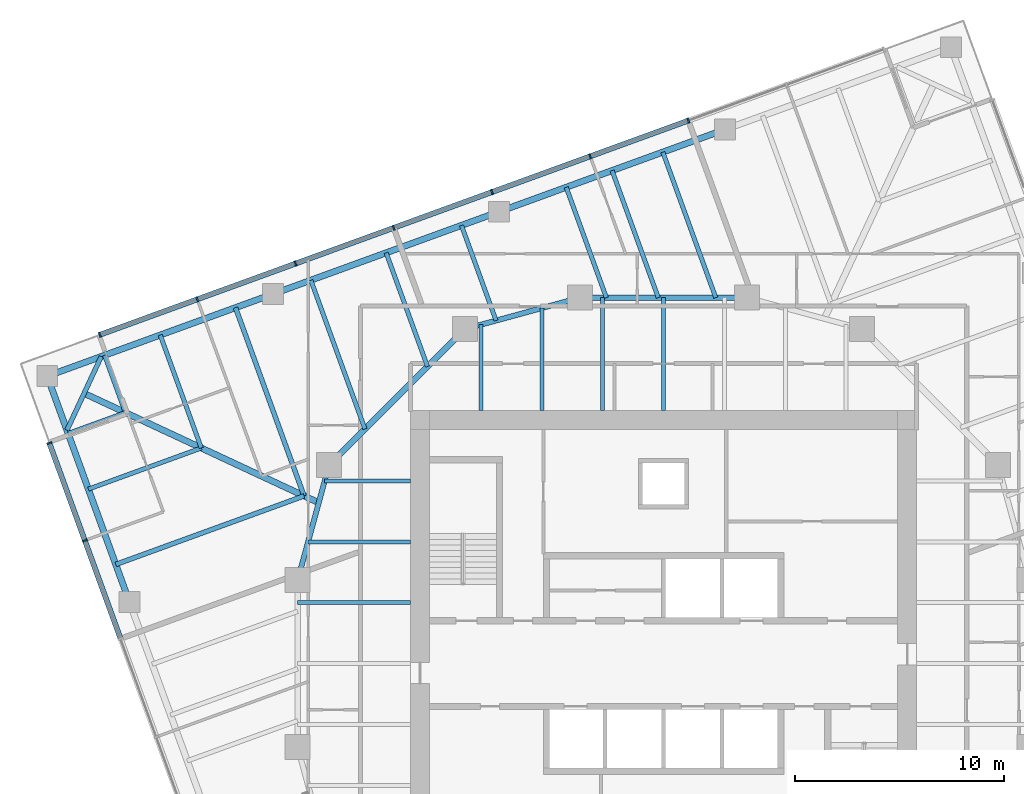
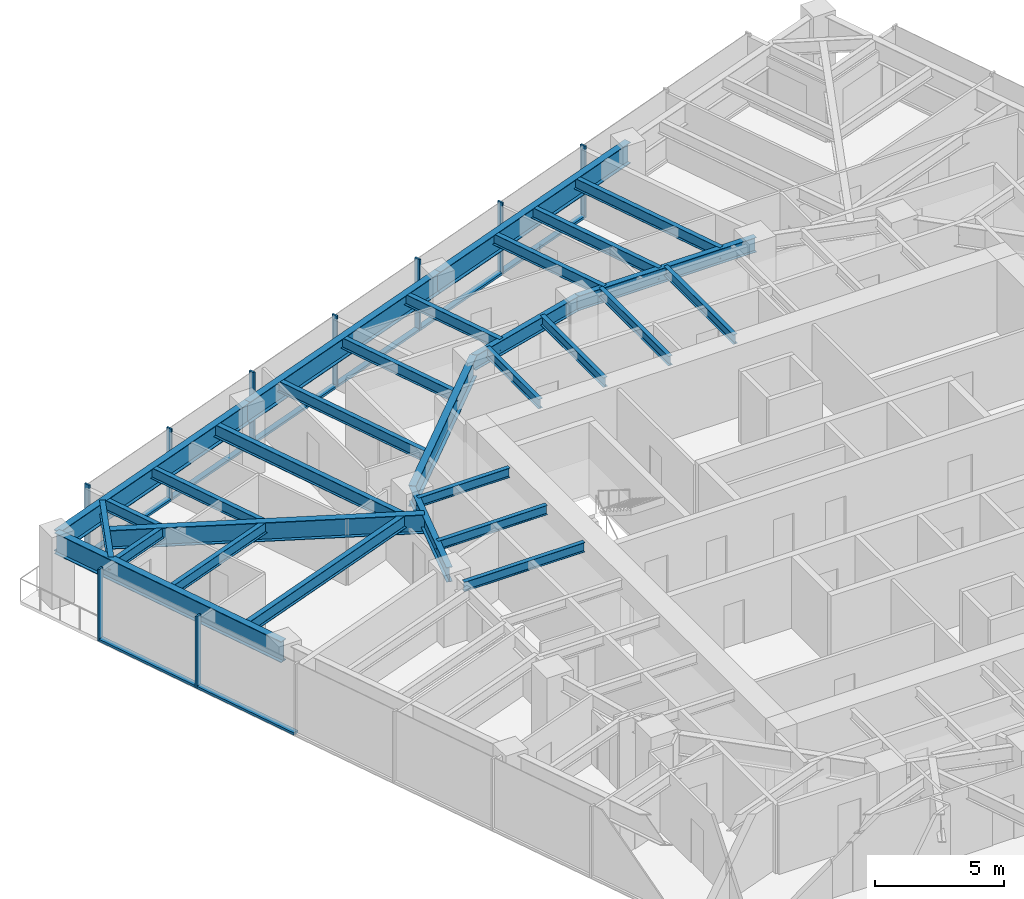
# One storey, part 4 of 13: 29 beams, 17 members, 2 elements without a shape of their own.
"""IFC4 building model written with IfcOpenShell, lengths in metres."""

from ifc_helpers import new_model, si_unit, direction, frame, origin, origin_2d, place, context, subcontext, project, spatial, rectangle, i_section, extrude, material, material_profile, profile_set, type_object, element, aggregate, save


model = new_model("IFC4")

# Units and contexts
model_context = context("Model", 3, precision=1e-05, world=origin(), true_north=direction((0.0, 1.0)))
body_context = subcontext(model_context, "Body", "Model", "MODEL_VIEW")
ifc_project = project(units=[si_unit("LENGTHUNIT", "METRE"), si_unit("AREAUNIT", "SQUARE_METRE"), si_unit("VOLUMEUNIT", "CUBIC_METRE"), si_unit("PLANEANGLEUNIT", "RADIAN"), si_unit("MASSUNIT", "GRAM", prefix="KILO")], contexts=[model_context])

# Site, building, storey
site_placement = place(None, origin())
site = spatial("IfcSite", under=ifc_project, at=site_placement, CompositionType="ELEMENT")
building_placement = place(site_placement, origin())
building = spatial("IfcBuilding", under=site, at=building_placement, Name="Torsade Residences", CompositionType="ELEMENT")
storey_placement = place(building_placement, frame((0.0, 0.0, 160.800048828125)))
storey = spatial("IfcBuildingStorey", under=building, at=storey_placement, Name="L44", CompositionType="ELEMENT", Elevation=160.800048828125)

# Beams
ifc_material_1 = material(Name="Steel grade 300", Category="steel")
ifc_material_profile_1 = material_profile(ifc_material_1, i_section(OverallWidth=0.300048828125, OverallDepth=0.89990234375, WebThickness=0.011962890625, FlangeThickness=0.02490234375, at=origin_2d()), Name="900WB175")
ifc_profile_set_1 = profile_set([ifc_material_profile_1], Name="Steel grade 300")
beam_type_1 = type_object("IfcBeamType", Name="CORNER GIRDER 900WB175", PredefinedType="BEAM", material=ifc_profile_set_1)
beam_1_placement = place(storey_placement, frame((12.282958984375, 42.924560546875, 2.800048828125), z_axis=(0.906308509373, -0.422616712682, 0.0), x_axis=(0.422616712682, 0.906308509373, 0.0)))
element("IfcBeam", 1, at=beam_1_placement, inside=storey, type_object=beam_type_1, Name="Corner girder 13 L45", PredefinedType="BEAM", context=body_context, shape_type="SweptSolid", body=[
    extrude(i_section(OverallWidth=0.300048828125, OverallDepth=0.89990234375, WebThickness=0.011962890625, FlangeThickness=0.02490234375, at=origin_2d()), origin(), (0.0, 0.0, 1.0), 12.3837890625),
])
ifc_material_2 = material(Name="Steel grade 300", Category="steel")
ifc_material_profile_2 = material_profile(ifc_material_2, i_section(OverallWidth=0.22802734375, OverallDepth=0.60205078125, WebThickness=0.010498046875, FlangeThickness=0.014892578125, FilletRadius=0.013916015625, at=origin_2d()), Name="610UB101")
ifc_profile_set_2 = profile_set([ifc_material_profile_2], Name="Steel grade 300")
beam_type_2 = type_object("IfcBeamType", Name="CORNER TRIMMER 610UB101", PredefinedType="BEAM", material=ifc_profile_set_2)
beam_2_placement = place(storey_placement, frame((11.461181640625, 41.162353515625, 2.948974609375), z_axis=(0.422613947806, 0.906309798645, 0.0), x_axis=(-0.906309798645, 0.422613947806, 0.0)))
element("IfcBeam", 2, at=beam_2_placement, inside=storey, type_object=beam_type_2, Name="Corner trimmer 13 L45", PredefinedType="BEAM", context=body_context, shape_type="SweptSolid", body=[
    extrude(i_section(OverallWidth=0.22802734375, OverallDepth=0.60205078125, WebThickness=0.010498046875, FlangeThickness=0.014892578125, FilletRadius=0.013916015625, at=origin_2d()), origin(), (0.0, 0.0, 1.0), 3.888916015625),
])
ifc_material_3 = material(Name="Steel grade 300", Category="steel")
ifc_material_profile_3 = material_profile(ifc_material_3, i_section(OverallWidth=0.300048828125, OverallDepth=1.0, WebThickness=0.01611328125, FlangeThickness=0.028076171875, at=origin_2d()), Name="1000WB215")
ifc_profile_set_3 = profile_set([ifc_material_profile_3], Name="Steel grade 300")
beam_type_3 = type_object("IfcBeamType", Name="EDGE BEAM 1000WB215", PredefinedType="SPANDREL", material=ifc_profile_set_3)
for number, where, z_axis, x_axis, name in (
    (3, (42.93994140625, 55.546142578125, 2.75), (-0.939695448801, -0.342012373318, 0.0), (0.342012373318, -0.939695448801, 0.0), "Edge beam 10 L45"),
    (4, (32.133544921875, 51.613037109375, 2.75), (-0.939688625666, -0.342031119628, 0.0), (0.342031119628, -0.939688625666, 0.0), "Edge beam 11 L45"),
    (5, (21.3271484375, 47.6796875, 2.75), (-0.939697932031, -0.342005550448, 0.0), (0.342005550448, -0.939697932031, 0.0), "Edge beam 12 L45"),
):
    element("IfcBeam", number, at=place(storey_placement, frame(where, z_axis=z_axis, x_axis=x_axis)), inside=storey, type_object=beam_type_3, Name=name, PredefinedType="SPANDREL", context=body_context, shape_type="SweptSolid", body=[
        extrude(i_section(OverallWidth=0.300048828125, OverallDepth=1.0, WebThickness=0.01611328125, FlangeThickness=0.028076171875, at=origin_2d()), origin(), (0.0, 0.0, 1.0), 11.5),
    ])
beam_3_placement = place(storey_placement, frame((10.5205078125, 43.74658203125, 2.75), z_axis=(0.342024296483, -0.93969110915, 0.0), x_axis=(0.93969110915, 0.342024296483, 0.0)))
element("IfcBeam", 6, at=beam_3_placement, inside=storey, type_object=beam_type_3, Name="Edge beam 13 L45", PredefinedType="SPANDREL", context=body_context, shape_type="SweptSolid", body=[
    extrude(i_section(OverallWidth=0.300048828125, OverallDepth=1.0, WebThickness=0.01611328125, FlangeThickness=0.028076171875, at=origin_2d()), origin(), (0.0, 0.0, 1.0), 11.500244140625),
])
ifc_material_4 = material(Name="Steel grade 300", Category="steel")
ifc_material_profile_4 = material_profile(ifc_material_4, i_section(OverallWidth=0.18994140625, OverallDepth=0.4541015625, WebThickness=0.008544921875, FlangeThickness=0.0126953125, FilletRadius=0.011474609375, at=origin_2d()), Name="460UB67.1")
ifc_profile_set_4 = profile_set([ifc_material_profile_4], Name="Steel grade 300")
beam_type_4 = type_object("IfcBeamType", Name="INNER FLOOR BEAM 460UB67.1", PredefinedType="JOIST", material=ifc_profile_set_4)
beam_4_placement = place(storey_placement, frame((31.262451171875, 42.10009765625, 3.02294921875), z_axis=(0.0, 1.0, 0.0), x_axis=(-1.0, 0.0, 0.0)))
element("IfcBeam", 7, at=beam_4_placement, inside=storey, type_object=beam_type_4, Name="Inner floor beam IN01 L45", PredefinedType="JOIST", context=body_context, shape_type="SweptSolid", body=[
    extrude(i_section(OverallWidth=0.18994140625, OverallDepth=0.4541015625, WebThickness=0.008544921875, FlangeThickness=0.0126953125, FilletRadius=0.011474609375, at=origin_2d()), origin(), (0.0, 0.0, 1.0), 4.10791015625),
])
beam_5_placement = place(storey_placement, frame((34.175048828125, 42.10009765625, 3.02294921875), z_axis=(0.0, 1.0, 0.0), x_axis=(-1.0, 0.0, 0.0)))
element("IfcBeam", 8, at=beam_5_placement, inside=storey, type_object=beam_type_4, Name="Inner floor beam IN02 L45", PredefinedType="JOIST", context=body_context, shape_type="SweptSolid", body=[
    extrude(i_section(OverallWidth=0.18994140625, OverallDepth=0.4541015625, WebThickness=0.008544921875, FlangeThickness=0.0126953125, FilletRadius=0.011474609375, at=origin_2d()), origin(), (0.0, 0.0, 1.0), 4.902099609375),
])
for number, where, z_axis, x_axis, name in (
    (9, (37.08740234375, 42.10009765625, 3.02294921875), (0.0, 1.0, 0.0), (-1.0, 0.0, 0.0), "Inner floor beam IN03 L45"),
    (10, (40.0, 42.10009765625, 3.02294921875), (0.0, 1.0, 0.0), (-1.0, 0.0, 0.0), "Inner floor beam IN04 L45"),
):
    element("IfcBeam", number, at=place(storey_placement, frame(where, z_axis=z_axis, x_axis=x_axis)), inside=storey, type_object=beam_type_4, Name=name, PredefinedType="JOIST", context=body_context, shape_type="SweptSolid", body=[
        extrude(i_section(OverallWidth=0.18994140625, OverallDepth=0.4541015625, WebThickness=0.008544921875, FlangeThickness=0.0126953125, FilletRadius=0.011474609375, at=origin_2d()), origin(), (0.0, 0.0, 1.0), 5.39990234375),
    ])
beam_6_placement = place(storey_placement, frame((27.89990234375, 38.737548828125, 3.02294921875), z_axis=(-1.0, 0.0, 0.0), x_axis=(0.0, -1.0, 0.0)))
element("IfcBeam", 11, at=beam_6_placement, inside=storey, type_object=beam_type_4, Name="Inner floor beam IW01 L45", PredefinedType="JOIST", context=body_context, shape_type="SweptSolid", body=[
    extrude(i_section(OverallWidth=0.18994140625, OverallDepth=0.4541015625, WebThickness=0.008544921875, FlangeThickness=0.0126953125, FilletRadius=0.011474609375, at=origin_2d()), origin(), (0.0, 0.0, 1.0), 4.10791015625),
])
beam_7_placement = place(storey_placement, frame((27.89990234375, 35.824951171875, 3.02294921875), z_axis=(-1.0, 0.0, 0.0), x_axis=(0.0, -1.0, 0.0)))
element("IfcBeam", 12, at=beam_7_placement, inside=storey, type_object=beam_type_4, Name="Inner floor beam IW02 L45", PredefinedType="JOIST", context=body_context, shape_type="SweptSolid", body=[
    extrude(i_section(OverallWidth=0.18994140625, OverallDepth=0.4541015625, WebThickness=0.008544921875, FlangeThickness=0.0126953125, FilletRadius=0.011474609375, at=origin_2d()), origin(), (0.0, 0.0, 1.0), 4.902099609375),
])
beam_8_placement = place(storey_placement, frame((27.89990234375, 32.91259765625, 3.02294921875), z_axis=(-1.0, 0.0, 0.0), x_axis=(0.0, -1.0, 0.0)))
element("IfcBeam", 13, at=beam_8_placement, inside=storey, type_object=beam_type_4, Name="Inner floor beam IW03 L45", PredefinedType="JOIST", context=body_context, shape_type="SweptSolid", body=[
    extrude(i_section(OverallWidth=0.18994140625, OverallDepth=0.4541015625, WebThickness=0.008544921875, FlangeThickness=0.0126953125, FilletRadius=0.011474609375, at=origin_2d()), origin(), (0.0, 0.0, 1.0), 5.39990234375),
])

# Curtain wall, members
ifc_material_5 = material(Name="Aluminium and glass", Category="aluminium")
curtain_wall_type = type_object("IfcCurtainWallType", Name="FRITTED GLASS CURTAIN WALL MID ZONE", PredefinedType="NOTDEFINED", material=ifc_material_5)
curtain_wall_1_placement = place(storey_placement, origin())
curtain_wall_1 = element("IfcCurtainWall", 14, at=curtain_wall_1_placement, inside=storey, type_object=curtain_wall_type, Name="Curtain wall L44 face 7", PredefinedType="NOTDEFINED")
ifc_material_6 = material(Name="Aluminium mullion", Category="aluminium")
ifc_material_profile_5 = material_profile(ifc_material_6, rectangle(XDim=0.25, YDim=0.080078125, at=origin_2d()), Name="MID ZONE CURTAIN WALL MULLION 250x80")
ifc_profile_set_5 = profile_set([ifc_material_profile_5], Name="Aluminium mullion")
member_type_1 = type_object("IfcMemberType", Name="MID ZONE CURTAIN WALL MULLION 250x80", PredefinedType="MULLION", material=ifc_profile_set_5)
member_1_placement = place(storey_placement, frame((41.1884765625, 55.972900390625, 0.0), z_axis=(0.0, 0.0, 1.0), x_axis=(0.342020147869, -0.939692619132, 0.0)))
member_1 = element("IfcMember", 15, at=member_1_placement, type_object=member_type_1, Name="Mullion 3", PredefinedType="MULLION", context=body_context, shape_type="SweptSolid", body=[
    extrude(rectangle(XDim=0.25, YDim=0.080078125, at=origin_2d()), origin(), (0.0, 0.0, 1.0), 3.39990234375),
])
member_2_placement = place(storey_placement, frame((36.489990234375, 54.2626953125, 0.0), z_axis=(0.0, 0.0, 1.0), x_axis=(0.342020147869, -0.939692619132, 0.0)))
member_2 = element("IfcMember", 16, at=member_2_placement, type_object=member_type_1, Name="Mullion 4", PredefinedType="MULLION", context=body_context, shape_type="SweptSolid", body=[
    extrude(rectangle(XDim=0.25, YDim=0.080078125, at=origin_2d()), origin(), (0.0, 0.0, 1.0), 3.39990234375),
])
member_3_placement = place(storey_placement, frame((31.79150390625, 52.552734375, 0.0), z_axis=(0.0, 0.0, 1.0), x_axis=(0.342020147869, -0.939692619132, 0.0)))
member_3 = element("IfcMember", 17, at=member_3_placement, type_object=member_type_1, Name="Mullion 5", PredefinedType="MULLION", context=body_context, shape_type="SweptSolid", body=[
    extrude(rectangle(XDim=0.25, YDim=0.080078125, at=origin_2d()), origin(), (0.0, 0.0, 1.0), 3.39990234375),
])
member_4_placement = place(storey_placement, frame((27.093017578125, 50.842529296875, 0.0), z_axis=(0.0, 0.0, 1.0), x_axis=(0.342020147869, -0.939692619132, 0.0)))
member_4 = element("IfcMember", 18, at=member_4_placement, type_object=member_type_1, Name="Mullion 6", PredefinedType="MULLION", context=body_context, shape_type="SweptSolid", body=[
    extrude(rectangle(XDim=0.25, YDim=0.080078125, at=origin_2d()), origin(), (0.0, 0.0, 1.0), 3.39990234375),
])
member_5_placement = place(storey_placement, frame((22.39453125, 49.13232421875, 0.0), z_axis=(0.0, 0.0, 1.0), x_axis=(0.342020147869, -0.939692619132, 0.0)))
member_5 = element("IfcMember", 19, at=member_5_placement, type_object=member_type_1, Name="Mullion 7", PredefinedType="MULLION", context=body_context, shape_type="SweptSolid", body=[
    extrude(rectangle(XDim=0.25, YDim=0.080078125, at=origin_2d()), origin(), (0.0, 0.0, 1.0), 3.39990234375),
])
member_6_placement = place(storey_placement, frame((17.696044921875, 47.42236328125, 0.0), z_axis=(0.0, 0.0, 1.0), x_axis=(0.342020147869, -0.939692619132, 0.0)))
member_6 = element("IfcMember", 20, at=member_6_placement, type_object=member_type_1, Name="Mullion 8", PredefinedType="MULLION", context=body_context, shape_type="SweptSolid", body=[
    extrude(rectangle(XDim=0.25, YDim=0.080078125, at=origin_2d()), origin(), (0.0, 0.0, 1.0), 3.39990234375),
])
member_7_placement = place(storey_placement, frame((13.03515625, 45.725830078125, 0.0), z_axis=(0.0, 0.0, 1.0), x_axis=(0.342020147869, -0.939692619132, 0.0)))
member_7 = element("IfcMember", 21, at=member_7_placement, type_object=member_type_1, Name="Mullion 9", PredefinedType="MULLION", context=body_context, shape_type="SweptSolid", body=[
    extrude(rectangle(XDim=0.25, YDim=0.080078125, at=origin_2d()), origin(), (0.0, 0.0, 1.0), 3.39990234375),
])

curtain_wall_2_placement = place(storey_placement, origin())
curtain_wall_2 = element("IfcCurtainWall", 22, at=curtain_wall_2_placement, inside=storey, type_object=curtain_wall_type, Name="Curtain wall L44 face 10", PredefinedType="NOTDEFINED")
member_8_placement = place(storey_placement, frame((10.62060546875, 40.5478515625, 0.0), z_axis=(0.0, 0.0, 1.0), x_axis=(0.939692619132, 0.342020147869, 0.0)))
member_8 = element("IfcMember", 23, at=member_8_placement, type_object=member_type_1, Name="Mullion 1", PredefinedType="MULLION", context=body_context, shape_type="SweptSolid", body=[
    extrude(rectangle(XDim=0.25, YDim=0.080078125, at=origin_2d()), origin(), (0.0, 0.0, 1.0), 3.39990234375),
])
member_9_placement = place(storey_placement, frame((12.317138671875, 35.886962890625, 0.0), z_axis=(0.0, 0.0, 1.0), x_axis=(0.939692619132, 0.342020147869, 0.0)))
member_9 = element("IfcMember", 24, at=member_9_placement, type_object=member_type_1, Name="Mullion 2", PredefinedType="MULLION", context=body_context, shape_type="SweptSolid", body=[
    extrude(rectangle(XDim=0.25, YDim=0.080078125, at=origin_2d()), origin(), (0.0, 0.0, 1.0), 3.39990234375),
])

# Member
ifc_material_7 = material(Name="Aluminium transom", Category="aluminium")
ifc_material_profile_6 = material_profile(ifc_material_7, rectangle(XDim=0.25, YDim=0.110107421875, at=origin_2d()), Name="MID ZONE CURTAIN WALL TRANSOM 250x110")
ifc_profile_set_6 = profile_set([ifc_material_profile_6], Name="Aluminium transom")
member_type_2 = type_object("IfcMemberType", Name="MID ZONE CURTAIN WALL TRANSOM 250x110", PredefinedType="USERDEFINED", material=ifc_profile_set_6)
member_10_placement = place(storey_placement, frame((41.15087890625, 55.959228515625, 0.054931640625), z_axis=(-0.93968471549, -0.342041862168, 0.0), x_axis=(0.342041862168, -0.93968471549, 0.0)))
member_10 = element("IfcMember", 25, at=member_10_placement, type_object=member_type_2, Name="Transom 3.1", ObjectType="TRANSOM", PredefinedType="USERDEFINED", context=body_context, shape_type="SweptSolid", body=[
    extrude(rectangle(XDim=0.25, YDim=0.110107421875, at=origin_2d()), origin(), (0.0, 0.0, 1.0), 4.920166015625),
])

member_11_placement = place(storey_placement, frame((36.452392578125, 54.2490234375, 0.054931640625), z_axis=(-0.9397006637, -0.341998044792, 0.0), x_axis=(0.341998044792, -0.9397006637, 0.0)))
member_11 = element("IfcMember", 26, at=member_11_placement, type_object=member_type_2, Name="Transom 4.1", ObjectType="TRANSOM", PredefinedType="USERDEFINED", context=body_context, shape_type="SweptSolid", body=[
    extrude(rectangle(XDim=0.25, YDim=0.110107421875, at=origin_2d()), origin(), (0.0, 0.0, 1.0), 4.919921875),
])

member_12_placement = place(storey_placement, frame((31.75390625, 52.5390625, 0.054931640625), z_axis=(-0.93968471549, -0.342041862168, 0.0), x_axis=(0.342041862168, -0.93968471549, 0.0)))
member_12 = element("IfcMember", 27, at=member_12_placement, type_object=member_type_2, Name="Transom 5.1", ObjectType="TRANSOM", PredefinedType="USERDEFINED", context=body_context, shape_type="SweptSolid", body=[
    extrude(rectangle(XDim=0.25, YDim=0.110107421875, at=origin_2d()), origin(), (0.0, 0.0, 1.0), 4.920166015625),
])

member_13_placement = place(storey_placement, frame((27.055419921875, 50.828857421875, 0.054931640625), z_axis=(-0.93968471549, -0.342041862168, 0.0), x_axis=(0.342041862168, -0.93968471549, 0.0)))
member_13 = element("IfcMember", 28, at=member_13_placement, type_object=member_type_2, Name="Transom 6.1", ObjectType="TRANSOM", PredefinedType="USERDEFINED", context=body_context, shape_type="SweptSolid", body=[
    extrude(rectangle(XDim=0.25, YDim=0.110107421875, at=origin_2d()), origin(), (0.0, 0.0, 1.0), 4.920166015625),
])

member_14_placement = place(storey_placement, frame((22.35693359375, 49.11865234375, 0.054931640625), z_axis=(-0.9397006637, -0.341998044792, 0.0), x_axis=(0.341998044792, -0.9397006637, 0.0)))
member_14 = element("IfcMember", 29, at=member_14_placement, type_object=member_type_2, Name="Transom 7.1", ObjectType="TRANSOM", PredefinedType="USERDEFINED", context=body_context, shape_type="SweptSolid", body=[
    extrude(rectangle(XDim=0.25, YDim=0.110107421875, at=origin_2d()), origin(), (0.0, 0.0, 1.0), 4.919921875),
])

member_15_placement = place(storey_placement, frame((17.658447265625, 47.40869140625, 0.054931640625), z_axis=(-0.939683823915, -0.342044311564, 0.0), x_axis=(0.342044311564, -0.939683823915, 0.0)))
member_15 = element("IfcMember", 30, at=member_15_placement, type_object=member_type_2, Name="Transom 8.1", ObjectType="TRANSOM", PredefinedType="USERDEFINED", context=body_context, shape_type="SweptSolid", body=[
    extrude(rectangle(XDim=0.25, YDim=0.110107421875, at=origin_2d()), origin(), (0.0, 0.0, 1.0), 4.880126953125),
])

aggregate(curtain_wall_1, [member_1, member_2, member_3, member_4, member_5, member_6, member_7, member_10, member_11, member_12, member_13, member_14, member_15])

member_16_placement = place(storey_placement, frame((10.63427734375, 40.51025390625, 0.054931640625), z_axis=(0.342044311564, -0.939683823915, 0.0), x_axis=(0.939683823915, 0.342044311564, 0.0)))
member_16 = element("IfcMember", 31, at=member_16_placement, type_object=member_type_2, Name="Transom 1.1", ObjectType="TRANSOM", PredefinedType="USERDEFINED", context=body_context, shape_type="SweptSolid", body=[
    extrude(rectangle(XDim=0.25, YDim=0.110107421875, at=origin_2d()), origin(), (0.0, 0.0, 1.0), 4.880126953125),
])

member_17_placement = place(storey_placement, frame((12.330810546875, 35.849365234375, 0.054931640625), z_axis=(0.341998044792, -0.9397006637, 0.0), x_axis=(0.9397006637, 0.341998044792, 0.0)))
member_17 = element("IfcMember", 32, at=member_17_placement, type_object=member_type_2, Name="Transom 2.1", ObjectType="TRANSOM", PredefinedType="USERDEFINED", context=body_context, shape_type="SweptSolid", body=[
    extrude(rectangle(XDim=0.25, YDim=0.110107421875, at=origin_2d()), origin(), (0.0, 0.0, 1.0), 4.919921875),
])

aggregate(curtain_wall_2, [member_8, member_9, member_16, member_17])

# Beams
ifc_material_8 = material(Name="Steel grade 300", Category="steel")
ifc_material_profile_7 = material_profile(ifc_material_8, i_section(OverallWidth=0.300048828125, OverallDepth=1.0, WebThickness=0.01611328125, FlangeThickness=0.028076171875, at=origin_2d()), Name="1000WB215")
ifc_profile_set_7 = profile_set([ifc_material_profile_7], Name="Steel grade 300")
beam_type_5 = type_object("IfcBeamType", Name="RING CORNER GIRDER 1000WB215", PredefinedType="BEAM", material=ifc_profile_set_7)
beam_9_placement = place(storey_placement, frame((30.5, 46.0, 2.75), z_axis=(-0.707106781187, -0.707106781187, 0.0), x_axis=(0.707106781187, -0.707106781187, 0.0)))
element("IfcBeam", 33, at=beam_9_placement, inside=storey, type_object=beam_type_5, Name="Ring girder IR07 L45", PredefinedType="BEAM", context=body_context, shape_type="SweptSolid", body=[
    extrude(i_section(OverallWidth=0.300048828125, OverallDepth=1.0, WebThickness=0.01611328125, FlangeThickness=0.028076171875, at=origin_2d()), origin(), (0.0, 0.0, 1.0), 9.1923828125),
])
ifc_material_9 = material(Name="Steel grade 300", Category="steel")
ifc_material_profile_8 = material_profile(ifc_material_9, i_section(OverallWidth=0.25, OverallDepth=0.699951171875, WebThickness=0.010009765625, FlangeThickness=0.02001953125, at=origin_2d()), Name="700WB130")
ifc_profile_set_8 = profile_set([ifc_material_profile_8], Name="Steel grade 300")
beam_type_6 = type_object("IfcBeamType", Name="RING GIRDER 700WB130", PredefinedType="BEAM", material=ifc_profile_set_8)
beam_10_placement = place(storey_placement, frame((44.0, 47.5, 2.89990234375), z_axis=(-1.0, 0.0, 0.0), x_axis=(0.0, -1.0, 0.0)))
element("IfcBeam", 34, at=beam_10_placement, inside=storey, type_object=beam_type_6, Name="Ring girder IR05 L45", PredefinedType="BEAM", context=body_context, shape_type="SweptSolid", body=[
    extrude(i_section(OverallWidth=0.25, OverallDepth=0.699951171875, WebThickness=0.010009765625, FlangeThickness=0.02001953125, at=origin_2d()), origin(), (0.0, 0.0, 1.0), 8.0),
])
for number, where, z_axis, x_axis, name in (
    (35, (36.0, 47.5, 2.89990234375), (-0.964763821238, -0.263117405792, 0.0), (0.263117405792, -0.964763821238, 0.0), "Ring girder IR06 L45"),
    (36, (24.0, 39.5, 2.89990234375), (-0.263117405792, -0.964763821238, 0.0), (0.964763821238, -0.263117405792, 0.0), "Ring girder IR08 L45"),
):
    element("IfcBeam", number, at=place(storey_placement, frame(where, z_axis=z_axis, x_axis=x_axis)), inside=storey, type_object=beam_type_6, Name=name, PredefinedType="BEAM", context=body_context, shape_type="SweptSolid", body=[
        extrude(i_section(OverallWidth=0.25, OverallDepth=0.699951171875, WebThickness=0.010009765625, FlangeThickness=0.02001953125, at=origin_2d()), origin(), (0.0, 0.0, 1.0), 5.700927734375),
    ])
ifc_material_10 = material(Name="Steel grade 300", Category="steel")
ifc_material_profile_9 = material_profile(ifc_material_10, i_section(OverallWidth=0.208984375, OverallDepth=0.528076171875, WebThickness=0.009521484375, FlangeThickness=0.01318359375, FilletRadius=0.013916015625, at=origin_2d()), Name="530UB82.0")
ifc_profile_set_9 = profile_set([ifc_material_profile_9], Name="Steel grade 300")
beam_type_7 = type_object("IfcBeamType", Name="SECONDARY BEAM 530UB82.0", PredefinedType="JOIST", material=ifc_profile_set_9)
beam_11_placement = place(storey_placement, frame((39.96435546875, 54.463134765625, 2.98583984375), z_axis=(0.342026105929, -0.939690450554, 0.0), x_axis=(0.939690450554, 0.342026105929, 0.0)))
element("IfcBeam", 37, at=beam_11_placement, inside=storey, type_object=beam_type_7, Name="Floor beam FN04 L45", PredefinedType="JOIST", context=body_context, shape_type="SweptSolid", body=[
    extrude(i_section(OverallWidth=0.208984375, OverallDepth=0.528076171875, WebThickness=0.009521484375, FlangeThickness=0.01318359375, FilletRadius=0.013916015625, at=origin_2d()), origin(), (0.0, 0.0, 1.0), 7.409912109375),
])
beam_12_placement = place(storey_placement, frame((37.536865234375, 53.57958984375, 2.98583984375), z_axis=(0.342000590983, -0.939699737026, 0.0), x_axis=(0.939699737026, 0.342000590983, 0.0)))
element("IfcBeam", 38, at=beam_12_placement, inside=storey, type_object=beam_type_7, Name="Floor beam FN05 L45", PredefinedType="JOIST", context=body_context, shape_type="SweptSolid", body=[
    extrude(i_section(OverallWidth=0.208984375, OverallDepth=0.528076171875, WebThickness=0.009521484375, FlangeThickness=0.01318359375, FilletRadius=0.013916015625, at=origin_2d()), origin(), (0.0, 0.0, 1.0), 6.4697265625),
])
beam_13_placement = place(storey_placement, frame((35.34423828125, 52.781494140625, 2.98583984375), z_axis=(0.341990681925, -0.939703343336, 0.0), x_axis=(0.939703343336, 0.341990681925, 0.0)))
element("IfcBeam", 39, at=beam_13_placement, inside=storey, type_object=beam_type_7, Name="Floor beam FN06 L45", PredefinedType="JOIST", context=body_context, shape_type="SweptSolid", body=[
    extrude(i_section(OverallWidth=0.208984375, OverallDepth=0.528076171875, WebThickness=0.009521484375, FlangeThickness=0.01318359375, FilletRadius=0.013916015625, at=origin_2d()), origin(), (0.0, 0.0, 1.0), 5.620361328125),
])
beam_14_placement = place(storey_placement, frame((30.33251953125, 50.957275390625, 2.98583984375), z_axis=(0.342014218604, -0.939694777187, 0.0), x_axis=(0.939694777187, 0.342014218604, 0.0)))
element("IfcBeam", 40, at=beam_14_placement, inside=storey, type_object=beam_type_7, Name="Floor beam FN07 L45", PredefinedType="JOIST", context=body_context, shape_type="SweptSolid", body=[
    extrude(i_section(OverallWidth=0.208984375, OverallDepth=0.528076171875, WebThickness=0.009521484375, FlangeThickness=0.01318359375, FilletRadius=0.013916015625, at=origin_2d()), origin(), (0.0, 0.0, 1.0), 4.84326171875),
])
beam_15_placement = place(storey_placement, frame((26.730224609375, 49.646240234375, 2.98583984375), z_axis=(0.342034409239, -0.939687428295, 0.0), x_axis=(0.939687428295, 0.342034409239, 0.0)))
element("IfcBeam", 41, at=beam_15_placement, inside=storey, type_object=beam_type_7, Name="Floor beam FN08 L45", PredefinedType="JOIST", context=body_context, shape_type="SweptSolid", body=[
    extrude(i_section(OverallWidth=0.208984375, OverallDepth=0.528076171875, WebThickness=0.009521484375, FlangeThickness=0.01318359375, FilletRadius=0.013916015625, at=origin_2d()), origin(), (0.0, 0.0, 1.0), 5.785888671875),
])
beam_16_placement = place(storey_placement, frame((23.128173828125, 48.335205078125, 2.98583984375), z_axis=(0.342027762686, -0.939689847531, 0.0), x_axis=(0.939689847531, 0.342027762686, 0.0)))
element("IfcBeam", 42, at=beam_16_placement, inside=storey, type_object=beam_type_7, Name="Floor beam FN09 L45", PredefinedType="JOIST", context=body_context, shape_type="SweptSolid", body=[
    extrude(i_section(OverallWidth=0.208984375, OverallDepth=0.528076171875, WebThickness=0.009521484375, FlangeThickness=0.01318359375, FilletRadius=0.013916015625, at=origin_2d()), origin(), (0.0, 0.0, 1.0), 7.573486328125),
])
beam_17_placement = place(storey_placement, frame((15.923828125, 45.713134765625, 2.98583984375), z_axis=(0.342005550448, -0.939697932031, 0.0), x_axis=(0.939697932031, 0.342005550448, 0.0)))
element("IfcBeam", 43, at=beam_17_placement, inside=storey, type_object=beam_type_7, Name="Floor beam FN11 L45", PredefinedType="JOIST", context=body_context, shape_type="SweptSolid", body=[
    extrude(i_section(OverallWidth=0.208984375, OverallDepth=0.528076171875, WebThickness=0.009521484375, FlangeThickness=0.01318359375, FilletRadius=0.013916015625, at=origin_2d()), origin(), (0.0, 0.0, 1.0), 5.75),
])
for number, where, z_axis, x_axis, name in (
    (44, (13.261474609375, 44.744140625, 2.98583984375), (0.341998427281, -0.939700524495, 0.0), (0.939700524495, 0.341998427281, 0.0), "Floor beam FN12 L45"),
    (45, (11.51806640625, 41.005615234375, 2.98583984375), (0.939700524495, 0.341998427281, 0.0), (-0.341998427281, 0.939700524495, 0.0), "Floor beam FW01 L45"),
):
    element("IfcBeam", number, at=place(storey_placement, frame(where, z_axis=z_axis, x_axis=x_axis)), inside=storey, type_object=beam_type_7, Name=name, PredefinedType="JOIST", context=body_context, shape_type="SweptSolid", body=[
        extrude(i_section(OverallWidth=0.208984375, OverallDepth=0.528076171875, WebThickness=0.009521484375, FlangeThickness=0.01318359375, FilletRadius=0.013916015625, at=origin_2d()), origin(), (0.0, 0.0, 1.0), 2.916748046875),
    ])
beam_18_placement = place(storey_placement, frame((12.4873046875, 38.34326171875, 2.98583984375), z_axis=(0.939692965423, 0.342019196443, 0.0), x_axis=(-0.342019196443, 0.939692965423, 0.0)))
element("IfcBeam", 46, at=beam_18_placement, inside=storey, type_object=beam_type_7, Name="Floor beam FW02 L45", PredefinedType="JOIST", context=body_context, shape_type="SweptSolid", body=[
    extrude(i_section(OverallWidth=0.208984375, OverallDepth=0.528076171875, WebThickness=0.009521484375, FlangeThickness=0.01318359375, FilletRadius=0.013916015625, at=origin_2d()), origin(), (0.0, 0.0, 1.0), 5.749755859375),
])
ifc_material_11 = material(Name="Steel grade 300", Category="steel")
ifc_material_profile_10 = material_profile(ifc_material_11, i_section(OverallWidth=0.22900390625, OverallDepth=0.612060546875, WebThickness=0.011962890625, FlangeThickness=0.01953125, FilletRadius=0.013916015625, at=origin_2d()), Name="610UB125")
ifc_profile_set_10 = profile_set([ifc_material_profile_10], Name="Steel grade 300")
beam_type_8 = type_object("IfcBeamType", Name="SECONDARY BEAM 610UB125", PredefinedType="JOIST", material=ifc_profile_set_10)
for number, where, z_axis, x_axis, name in (
    (47, (19.52587890625, 47.024169921875, 2.94384765625), (0.342033504181, -0.939687757725, 0.0), (0.939687757725, 0.342033504181, 0.0), "Floor beam FN10 L45"),
    (48, (13.79833984375, 34.740966796875, 2.94384765625), (0.939687757725, 0.342033504181, 0.0), (-0.342033504181, 0.939687757725, 0.0), "Floor beam FW03 L45"),
):
    element("IfcBeam", number, at=place(storey_placement, frame(where, z_axis=z_axis, x_axis=x_axis)), inside=storey, type_object=beam_type_8, Name=name, PredefinedType="JOIST", context=body_context, shape_type="SweptSolid", body=[
        extrude(i_section(OverallWidth=0.22900390625, OverallDepth=0.612060546875, WebThickness=0.011962890625, FlangeThickness=0.01953125, FilletRadius=0.013916015625, at=origin_2d()), origin(), (0.0, 0.0, 1.0), 9.583251953125),
    ])

save(model, "model.ifc")
